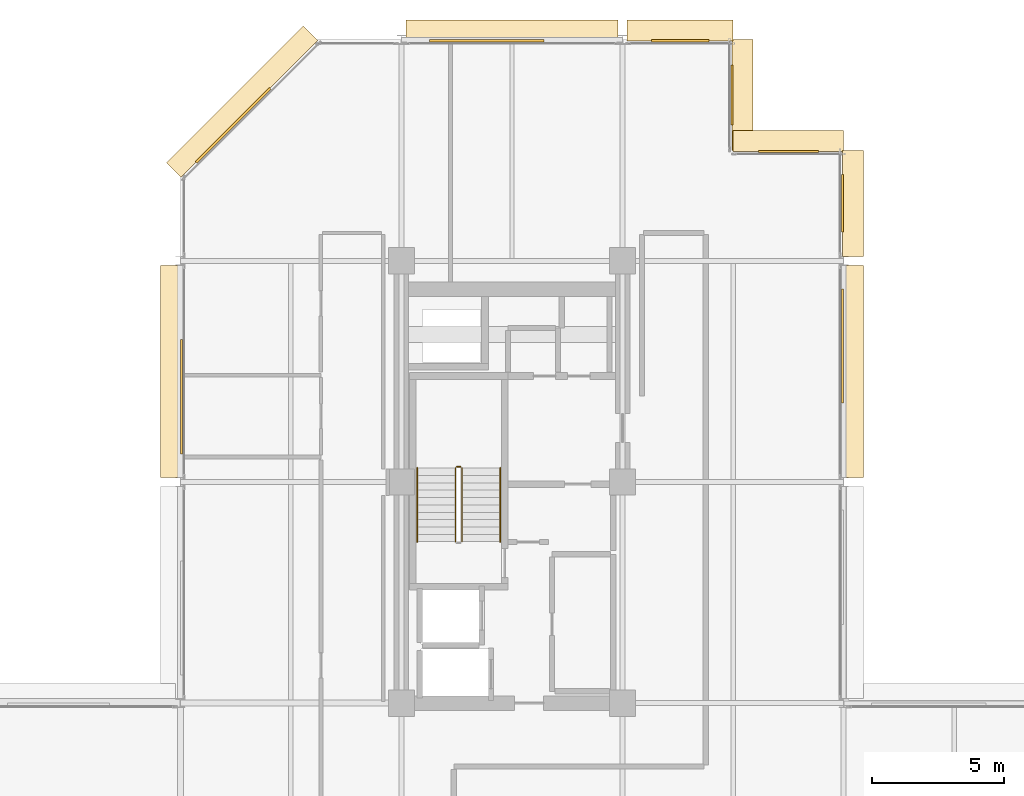
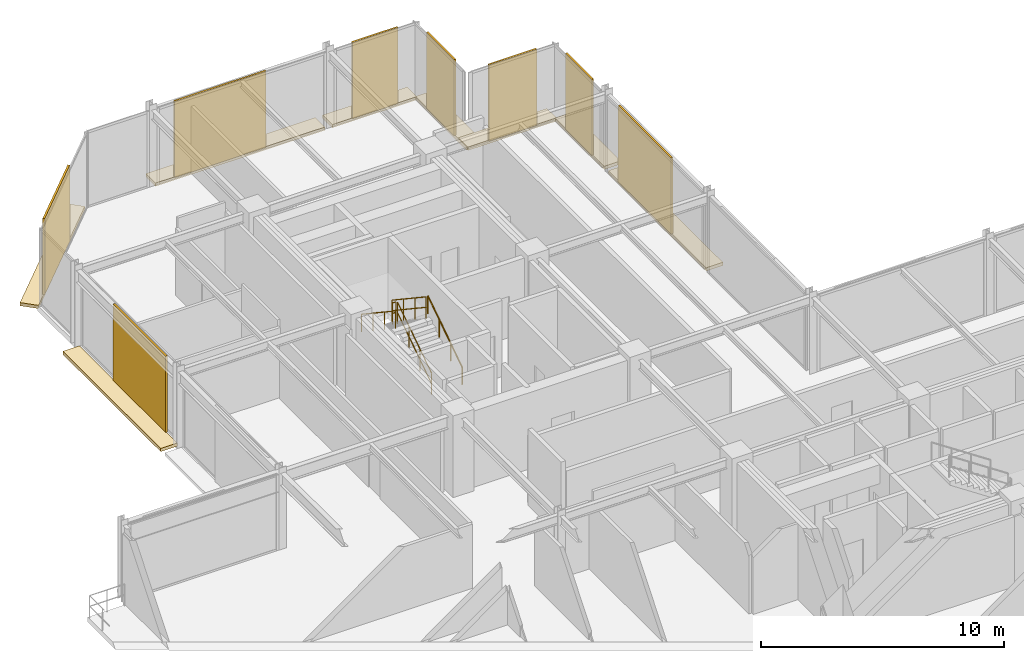
# One storey, part 29 of 29: 16 coverings, 5 railings.
"""IFC4 building model written with IfcOpenShell, lengths in metres."""

from ifc_helpers import new_model, si_unit, direction, frame, origin, origin_2d, place, context, subcontext, project, spatial, polyline, rectangle, circle, outline, extrude, material, layer, layer_set, type_object, element, save


model = new_model("IFC4")

# Units and contexts
model_context = context("Model", 3, precision=1e-05, world=origin(), true_north=direction((0.0, 1.0)))
body_context = subcontext(model_context, "Body", "Model", "MODEL_VIEW")
ifc_project = project(units=[si_unit("LENGTHUNIT", "METRE"), si_unit("AREAUNIT", "SQUARE_METRE"), si_unit("VOLUMEUNIT", "CUBIC_METRE"), si_unit("PLANEANGLEUNIT", "RADIAN"), si_unit("MASSUNIT", "GRAM", prefix="KILO")], contexts=[model_context])

# Site, building, storey
site_placement = place(None, origin())
site = spatial("IfcSite", under=ifc_project, at=site_placement, CompositionType="ELEMENT")
building_placement = place(site_placement, origin())
building = spatial("IfcBuilding", under=site, at=building_placement, Name="Nerrivon Quay Data Exchange", CompositionType="ELEMENT")
storey_placement = place(building_placement, frame((0.0, 0.0, 179.60009765625)))
storey = spatial("IfcBuildingStorey", under=building, at=storey_placement, Name="L42", CompositionType="ELEMENT", Elevation=179.60009765625)

# Coverings
ifc_material_1 = material(Name="Architectural terracotta ceramic", Category="masonry")
ifc_layer_1 = layer(ifc_material_1, 0.159912109375)
ifc_layer_set_1 = layer_set([ifc_layer_1], Name="Architectural terracotta ceramic")
covering_type_1 = type_object("IfcCoveringType", Name="COV-BLD-TERR", PredefinedType="CLADDING", material=ifc_layer_set_1)
covering_1_placement = place(storey_placement, frame((0.0, 0.0, -0.16015625)))
element("IfcCovering", 1, at=covering_1_placement, inside=storey, type_object=covering_type_1, Name="L42 Horizontal Terracotta SOLAR SCREEN Blade", PredefinedType="CLADDING", context=body_context, shape_type="SweptSolid", body=[
    extrude(outline(polyline([(0.0400390625, 33.77490234375), (0.0400390625, 41.824951171875), (-0.75, 41.824951171875), (-0.75, 33.77490234375), (0.0400390625, 33.77490234375)])), origin(), (0.0, 0.0, 1.0), 0.16015625),
])
covering_2_placement = place(storey_placement, frame((0.0, 0.0, -0.16015625)))
element("IfcCovering", 2, at=covering_2_placement, inside=storey, type_object=covering_type_1, Name="L42 Horizontal Terracotta SOLAR SCREEN Blade", PredefinedType="CLADDING", context=body_context, shape_type="SweptSolid", body=[
    extrude(outline(polyline([(0.0283203125, 45.171630859375), (5.228271484375, 50.37158203125), (4.669677734375, 50.930419921875), (-0.5302734375, 45.730224609375), (0.0283203125, 45.171630859375)])), origin(), (0.0, 0.0, 1.0), 0.16015625),
])
covering_3_placement = place(storey_placement, frame((0.0, 0.0, -0.16015625)))
element("IfcCovering", 3, at=covering_3_placement, inside=storey, type_object=covering_type_1, Name="L42 Horizontal Terracotta SOLAR SCREEN Blade", PredefinedType="CLADDING", context=body_context, shape_type="SweptSolid", body=[
    extrude(outline(polyline([(8.574951171875, 50.360107421875), (16.625, 50.360107421875), (16.625, 51.14990234375), (8.574951171875, 51.14990234375), (8.574951171875, 50.360107421875)])), origin(), (0.0, 0.0, 1.0), 0.16015625),
])
covering_4_placement = place(storey_placement, frame((0.0, 0.0, -0.16015625)))
element("IfcCovering", 4, at=covering_4_placement, inside=storey, type_object=covering_type_1, Name="L42 Horizontal Terracotta SOLAR SCREEN Blade", PredefinedType="CLADDING", context=body_context, shape_type="SweptSolid", body=[
    extrude(outline(polyline([(16.97509765625, 50.360107421875), (21.0, 50.360107421875), (21.0, 51.14990234375), (16.97509765625, 51.14990234375), (16.97509765625, 50.360107421875)])), origin(), (0.0, 0.0, 1.0), 0.16015625),
])
covering_5_placement = place(storey_placement, frame((0.0, 0.0, -0.16015625)))
element("IfcCovering", 5, at=covering_5_placement, inside=storey, type_object=covering_type_1, Name="L42 Horizontal Terracotta SOLAR SCREEN Blade", PredefinedType="CLADDING", context=body_context, shape_type="SweptSolid", body=[
    extrude(outline(polyline([(20.9599609375, 50.39990234375), (20.9599609375, 46.199951171875), (21.75, 46.199951171875), (21.75, 50.39990234375), (20.9599609375, 50.39990234375)])), origin(), (0.0, 0.0, 1.0), 0.16015625),
])
covering_6_placement = place(storey_placement, frame((0.0, 0.0, -0.16015625)))
element("IfcCovering", 6, at=covering_6_placement, inside=storey, type_object=covering_type_1, Name="L42 Horizontal Terracotta SOLAR SCREEN Blade", PredefinedType="CLADDING", context=body_context, shape_type="SweptSolid", body=[
    extrude(outline(polyline([(21.0, 46.159912109375), (25.199951171875, 46.159912109375), (25.199951171875, 46.949951171875), (21.0, 46.949951171875), (21.0, 46.159912109375)])), origin(), (0.0, 0.0, 1.0), 0.16015625),
])
covering_7_placement = place(storey_placement, frame((0.0, 0.0, -0.16015625)))
element("IfcCovering", 7, at=covering_7_placement, inside=storey, type_object=covering_type_1, Name="L42 Horizontal Terracotta SOLAR SCREEN Blade", PredefinedType="CLADDING", context=body_context, shape_type="SweptSolid", body=[
    extrude(outline(polyline([(25.159912109375, 46.199951171875), (25.159912109375, 42.175048828125), (25.949951171875, 42.175048828125), (25.949951171875, 46.199951171875), (25.159912109375, 46.199951171875)])), origin(), (0.0, 0.0, 1.0), 0.16015625),
])
covering_8_placement = place(storey_placement, frame((0.0, 0.0, -0.16015625)))
element("IfcCovering", 8, at=covering_8_placement, inside=storey, type_object=covering_type_1, Name="L42 Horizontal Terracotta SOLAR SCREEN Blade", PredefinedType="CLADDING", context=body_context, shape_type="SweptSolid", body=[
    extrude(outline(polyline([(25.159912109375, 41.824951171875), (25.159912109375, 33.77490234375), (25.949951171875, 33.77490234375), (25.949951171875, 41.824951171875), (25.159912109375, 41.824951171875)])), origin(), (0.0, 0.0, 1.0), 0.16015625),
])
ifc_layer_2 = layer(ifc_material_1, 0.090087890625)
ifc_layer_set_2 = layer_set([ifc_layer_2], Name="Architectural terracotta ceramic")
covering_type_2 = type_object("IfcCoveringType", Name="COV-SCR-TERR", PredefinedType="CLADDING", material=ifc_layer_set_2)
covering_9_placement = place(storey_placement, frame((0.044921875, 36.833984375, 0.0), z_axis=(0.0, 0.0, 1.0), x_axis=(0.0, 1.0, 0.0)))
element("IfcCovering", 9, at=covering_9_placement, inside=storey, type_object=covering_type_2, Name="L42 Perforated Terracotta SOLAR SCREEN Cassette", PredefinedType="CLADDING", context=body_context, shape_type="SweptSolid", body=[
    extrude(rectangle(XDim=4.346923828125, YDim=0.090087890625, at=origin_2d()), origin(), (0.0, 0.0, 1.0), 3.824951171875),
])
covering_10_placement = place(storey_placement, frame((2.0078125, 47.144287109375, 0.0), z_axis=(0.0, 0.0, 1.0), x_axis=(0.707106781187, 0.707106781187, 0.0)))
element("IfcCovering", 10, at=covering_10_placement, inside=storey, type_object=covering_type_2, Name="L42 Perforated Terracotta SOLAR SCREEN Cassette", PredefinedType="CLADDING", context=body_context, shape_type="SweptSolid", body=[
    extrude(rectangle(XDim=3.970947265625, YDim=0.090087890625, at=origin_2d()), origin(), (0.0, 0.0, 1.0), 3.824951171875),
])
covering_11_placement = place(storey_placement, frame((11.634033203125, 50.35498046875, 0.0), z_axis=(0.0, 0.0, 1.0), x_axis=(1.0, 0.0, 0.0)))
element("IfcCovering", 11, at=covering_11_placement, inside=storey, type_object=covering_type_2, Name="L42 Perforated Terracotta SOLAR SCREEN Cassette", PredefinedType="CLADDING", context=body_context, shape_type="SweptSolid", body=[
    extrude(rectangle(XDim=4.346923828125, YDim=0.090087890625, at=origin_2d()), origin(), (0.0, 0.0, 1.0), 3.824951171875),
])
covering_12_placement = place(storey_placement, frame((18.987548828125, 50.35498046875, 0.0), z_axis=(0.0, 0.0, 1.0), x_axis=(1.0, 0.0, 0.0)))
element("IfcCovering", 12, at=covering_12_placement, inside=storey, type_object=covering_type_2, Name="L42 Perforated Terracotta SOLAR SCREEN Cassette", PredefinedType="CLADDING", context=body_context, shape_type="SweptSolid", body=[
    extrude(rectangle(XDim=2.173095703125, YDim=0.090087890625, at=origin_2d()), origin(), (0.0, 0.0, 1.0), 3.824951171875),
])
for number, where, z_axis, x_axis, name in (
    (13, (20.955078125, 48.300048828125, 0.0), (0.0, 0.0, 1.0), (0.0, -1.0, 0.0), "L42 Perforated Terracotta SOLAR SCREEN Cassette"),
    (14, (23.10009765625, 46.155029296875, 0.0), (0.0, 0.0, 1.0), (1.0, 0.0, 0.0), "L42 Perforated Terracotta SOLAR SCREEN Cassette"),
):
    element("IfcCovering", number, at=place(storey_placement, frame(where, z_axis=z_axis, x_axis=x_axis)), inside=storey, type_object=covering_type_2, Name=name, PredefinedType="CLADDING", context=body_context, shape_type="SweptSolid", body=[
        extrude(rectangle(XDim=2.26806640625, YDim=0.090087890625, at=origin_2d()), origin(), (0.0, 0.0, 1.0), 3.824951171875),
    ])
covering_13_placement = place(storey_placement, frame((25.155029296875, 44.1875, 0.0), z_axis=(0.0, 0.0, 1.0), x_axis=(0.0, -1.0, 0.0)))
element("IfcCovering", 15, at=covering_13_placement, inside=storey, type_object=covering_type_2, Name="L42 Perforated Terracotta SOLAR SCREEN Cassette", PredefinedType="CLADDING", context=body_context, shape_type="SweptSolid", body=[
    extrude(rectangle(XDim=2.174072265625, YDim=0.090087890625, at=origin_2d()), origin(), (0.0, 0.0, 1.0), 3.824951171875),
])
covering_14_placement = place(storey_placement, frame((25.155029296875, 38.76611328125, 0.0), z_axis=(0.0, 0.0, 1.0), x_axis=(0.0, -1.0, 0.0)))
element("IfcCovering", 16, at=covering_14_placement, inside=storey, type_object=covering_type_2, Name="L42 Perforated Terracotta SOLAR SCREEN Cassette", PredefinedType="CLADDING", context=body_context, shape_type="SweptSolid", body=[
    extrude(rectangle(XDim=4.346923828125, YDim=0.090087890625, at=origin_2d()), origin(), (0.0, 0.0, 1.0), 3.824951171875),
])

# Railings
ifc_material_2 = material(Name="Steel Grade C350L0 (350 MPa)", Category="steel")
railing_type_1 = type_object("IfcRailingType", Name="RAIL-HAND-HR1", PredefinedType="HANDRAIL", material=ifc_material_2)
railing_1_placement = place(storey_placement, frame((12.14990234375, 31.330078125, 0.186279296875)))
element("IfcRailing", 17, at=railing_1_placement, inside=storey, type_object=railing_type_1, Name="L42 ST01 stair handrail 1", PredefinedType="HANDRAIL", context=body_context, shape_type="SweptSolid", body=[
    extrude(circle(Radius=0.02392578125, at=origin_2d()), frame((0.0, 0.0, 0.8759765625), z_axis=(0.0, 0.832463268671, 0.554080234545), x_axis=(-1.0, 0.0, 0.0)), (0.0, 0.0, 1.0), 3.36328125),
    extrude(circle(Radius=0.02099609375, at=origin_2d()), origin(), (0.0, 0.0, 1.0), 0.851806640625),
    extrude(circle(Radius=0.02099609375, at=origin_2d()), frame((0.0, 0.933349609375, 0.62109375)), (0.0, 0.0, 1.0), 0.851806640625),
    extrude(circle(Radius=0.02099609375, at=origin_2d()), frame((0.0, 1.866455078125, 1.242431640625)), (0.0, 0.0, 1.0), 0.851806640625),
    extrude(circle(Radius=0.02099609375, at=origin_2d()), frame((0.0, 2.7998046875, 1.863525390625)), (0.0, 0.0, 1.0), 0.851806640625),
])
railing_2_placement = place(storey_placement, frame((9.0, 34.1298828125, 2.236328125)))
element("IfcRailing", 18, at=railing_2_placement, inside=storey, type_object=railing_type_1, Name="L42 ST01 stair handrail 2", PredefinedType="HANDRAIL", context=body_context, shape_type="SweptSolid", body=[
    extrude(circle(Radius=0.02392578125, at=origin_2d()), frame((0.0, 0.0, 0.8759765625), z_axis=(0.0, -0.832463268671, 0.554080234545), x_axis=(1.0, 0.0, 0.0)), (0.0, 0.0, 1.0), 3.36328125),
    extrude(circle(Radius=0.02099609375, at=origin_2d()), origin(), (0.0, 0.0, 1.0), 0.851806640625),
    extrude(circle(Radius=0.02099609375, at=origin_2d()), frame((0.0, -0.933349609375, 0.62109375)), (0.0, 0.0, 1.0), 0.851806640625),
    extrude(circle(Radius=0.02099609375, at=origin_2d()), frame((0.0, -1.866455078125, 1.242431640625)), (0.0, 0.0, 1.0), 0.851806640625),
    extrude(circle(Radius=0.02099609375, at=origin_2d()), frame((0.0, -2.7998046875, 1.863525390625)), (0.0, 0.0, 1.0), 0.851806640625),
])
railing_type_2 = type_object("IfcRailingType", Name="RAIL-STAIR-GR1", PredefinedType="BALUSTRADE", material=ifc_material_2)
railing_3_placement = place(storey_placement, frame((10.699951171875, 31.330078125, 0.186279296875)))
element("IfcRailing", 19, at=railing_3_placement, inside=storey, type_object=railing_type_2, Name="L42 ST01 stair guard 1", PredefinedType="BALUSTRADE", context=body_context, shape_type="SweptSolid", body=[
    extrude(circle(Radius=0.02392578125, at=origin_2d()), frame((0.0, 0.0, 1.076171875), z_axis=(0.0, 0.832463268671, 0.554080234545), x_axis=(-1.0, 0.0, 0.0)), (0.0, 0.0, 1.0), 3.36328125),
    extrude(circle(Radius=0.02392578125, at=origin_2d()), frame((0.0, 0.0, 0.550048828125), z_axis=(0.0, 0.832463268671, 0.554080234545), x_axis=(-1.0, 0.0, 0.0)), (0.0, 0.0, 1.0), 3.36328125),
    extrude(circle(Radius=0.02099609375, at=origin_2d()), origin(), (0.0, 0.0, 1.0), 1.052001953125),
    extrude(circle(Radius=0.02099609375, at=origin_2d()), frame((0.0, 0.933349609375, 0.62109375)), (0.0, 0.0, 1.0), 1.052001953125),
    extrude(circle(Radius=0.02099609375, at=origin_2d()), frame((0.0, 1.866455078125, 1.242431640625)), (0.0, 0.0, 1.0), 1.052001953125),
    extrude(circle(Radius=0.02099609375, at=origin_2d()), frame((0.0, 2.7998046875, 1.863525390625)), (0.0, 0.0, 1.0), 1.052001953125),
])
railing_4_placement = place(storey_placement, frame((10.64990234375, 34.179931640625, 2.0498046875)))
element("IfcRailing", 20, at=railing_4_placement, inside=storey, type_object=railing_type_2, Name="L42 ST01 stair guard 2", PredefinedType="BALUSTRADE", context=body_context, shape_type="SweptSolid", body=[
    extrude(circle(Radius=0.02392578125, at=origin_2d()), frame((0.0, 0.0, 1.076171875), z_axis=(-1.0, 0.0, 0.0), x_axis=(0.0, -1.0, 0.0)), (0.0, 0.0, 1.0), 0.14990234375),
    extrude(circle(Radius=0.02392578125, at=origin_2d()), frame((0.0, 0.0, 0.550048828125), z_axis=(-1.0, 0.0, 0.0), x_axis=(0.0, -1.0, 0.0)), (0.0, 0.0, 1.0), 0.14990234375),
    extrude(circle(Radius=0.02099609375, at=origin_2d()), origin(), (0.0, 0.0, 1.0), 1.052001953125),
    extrude(circle(Radius=0.02099609375, at=origin_2d()), frame((-0.14990234375, 0.0, 0.0)), (0.0, 0.0, 1.0), 1.052001953125),
])
railing_5_placement = place(storey_placement, frame((10.449951171875, 34.1298828125, 2.236328125)))
element("IfcRailing", 21, at=railing_5_placement, inside=storey, type_object=railing_type_2, Name="L42 ST01 stair guard 3", PredefinedType="BALUSTRADE", context=body_context, shape_type="SweptSolid", body=[
    extrude(circle(Radius=0.02392578125, at=origin_2d()), frame((0.0, 0.0, 1.076171875), z_axis=(0.0, -0.832463268671, 0.554080234545), x_axis=(1.0, 0.0, 0.0)), (0.0, 0.0, 1.0), 3.36328125),
    extrude(circle(Radius=0.02392578125, at=origin_2d()), frame((0.0, 0.0, 0.550048828125), z_axis=(0.0, -0.832463268671, 0.554080234545), x_axis=(1.0, 0.0, 0.0)), (0.0, 0.0, 1.0), 3.36328125),
    extrude(circle(Radius=0.02099609375, at=origin_2d()), origin(), (0.0, 0.0, 1.0), 1.052001953125),
    extrude(circle(Radius=0.02099609375, at=origin_2d()), frame((0.0, -0.933349609375, 0.62109375)), (0.0, 0.0, 1.0), 1.052001953125),
    extrude(circle(Radius=0.02099609375, at=origin_2d()), frame((0.0, -1.866455078125, 1.242431640625)), (0.0, 0.0, 1.0), 1.052001953125),
    extrude(circle(Radius=0.02099609375, at=origin_2d()), frame((0.0, -2.7998046875, 1.863525390625)), (0.0, 0.0, 1.0), 1.052001953125),
])

save(model, "model.ifc")
